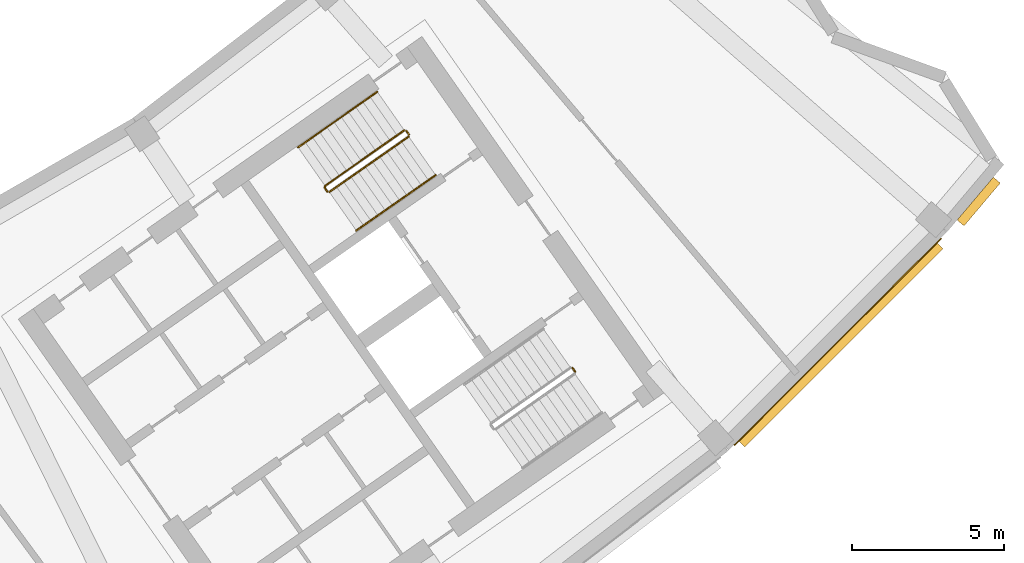
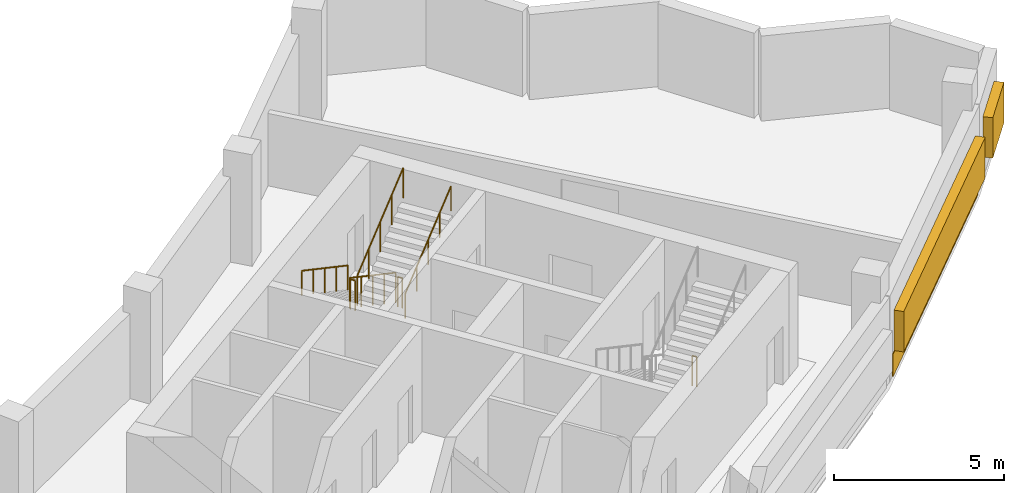
# One storey, part 11 of 11: 6 railings, 2 shading devices, 1 covering.
"""IFC4 building model written with IfcOpenShell, lengths in metres."""

from ifc_helpers import new_model, si_unit, direction, frame, origin, origin_2d, place, context, subcontext, project, spatial, rectangle, circle, extrude, material, layer, layer_set, type_object, element, save


model = new_model("IFC4")

# Units and contexts
model_context = context("Model", 3, precision=1e-05, world=origin(), true_north=direction((0.0, 1.0)))
body_context = subcontext(model_context, "Body", "Model", "MODEL_VIEW")
ifc_project = project(units=[si_unit("LENGTHUNIT", "METRE"), si_unit("AREAUNIT", "SQUARE_METRE"), si_unit("VOLUMEUNIT", "CUBIC_METRE"), si_unit("PLANEANGLEUNIT", "RADIAN"), si_unit("MASSUNIT", "GRAM", prefix="KILO")], contexts=[model_context])

# Site, building, storey
site_placement = place(None, origin())
site = spatial("IfcSite", under=ifc_project, at=site_placement, CompositionType="ELEMENT")
building_placement = place(site_placement, origin())
building = spatial("IfcBuilding", under=site, at=building_placement, Name="Qamariyya Broadcast Tower", CompositionType="ELEMENT")
storey_placement = place(building_placement, frame((0.0, 0.0, 298.699951171875)))
storey = spatial("IfcBuildingStorey", under=building, at=storey_placement, Name="L72", CompositionType="ELEMENT", Elevation=298.699951171875)

# Railings
ifc_material_1 = material(Name="Painted steel", Category="steel")
railing_type_1 = type_object("IfcRailingType", Name="Stair guard", PredefinedType="GUARDRAIL", material=ifc_material_1)
railing_1_placement = place(storey_placement, frame((41.003173828125, -48.320068359375, 0.166748046875)))
element("IfcRailing", 1, at=railing_1_placement, inside=storey, type_object=railing_type_1, Name="L72 ST-E2 stair guard 1", PredefinedType="GUARDRAIL", context=body_context, shape_type="SweptSolid", body=[
    extrude(circle(Radius=0.02392578125, at=origin_2d()), frame((0.0, 0.0, 1.076171875), z_axis=(-0.710204256923, -0.497335411159, 0.498264389913), x_axis=(0.573611290809, -0.819127637829, 0.0)), (0.0, 0.0, 1.0), 3.67919921875),
    extrude(circle(Radius=0.02392578125, at=origin_2d()), frame((-2.613037109375, -1.829833984375, 2.9091796875), z_axis=(-0.172799478008, -0.984957024646, 0.0), x_axis=(0.984957024646, -0.172799478008, 0.0)), (0.0, 0.0, 1.0), 0.070556640625),
    extrude(circle(Radius=0.02392578125, at=origin_2d()), frame((-2.625244140625, -1.8994140625, 2.9091796875), z_axis=(0.573353020881, -0.819308436089, 0.0), x_axis=(0.819308436089, 0.573353020881, 0.0)), (0.0, 0.0, 1.0), 0.14990234375),
    extrude(circle(Radius=0.02099609375, at=origin_2d()), origin(), (0.0, 0.0, 1.0), 1.052001953125),
    extrude(circle(Radius=0.02099609375, at=origin_2d()), frame((-0.6533203125, -0.45751953125, 0.458251953125)), (0.0, 0.0, 1.0), 1.052001953125),
    extrude(circle(Radius=0.02099609375, at=origin_2d()), frame((-1.306640625, -0.9150390625, 0.91650390625)), (0.0, 0.0, 1.0), 1.052001953125),
    extrude(circle(Radius=0.02099609375, at=origin_2d()), frame((-1.959716796875, -1.372314453125, 1.375)), (0.0, 0.0, 1.0), 1.052001953125),
    extrude(circle(Radius=0.02099609375, at=origin_2d()), frame((-2.613037109375, -1.829833984375, 1.833251953125)), (0.0, 0.0, 1.0), 1.052001953125),
    extrude(circle(Radius=0.02099609375, at=origin_2d()), frame((-2.625244140625, -1.8994140625, 1.833251953125)), (0.0, 0.0, 1.0), 1.052001953125),
    extrude(circle(Radius=0.02099609375, at=origin_2d()), frame((-2.539306640625, -2.022216796875, 1.833251953125)), (0.0, 0.0, 1.0), 1.052001953125),
])
railing_2_placement = place(storey_placement, frame((38.53369140625, -50.3544921875, 2.166748046875)))
element("IfcRailing", 2, at=railing_2_placement, inside=storey, type_object=railing_type_1, Name="L72 ST-E2 stair guard 2", PredefinedType="GUARDRAIL", context=body_context, shape_type="SweptSolid", body=[
    extrude(circle(Radius=0.02392578125, at=origin_2d()), frame((0.0, 0.0, 1.076171875), z_axis=(0.710227693972, 0.497285465629, 0.498280832854), x_axis=(-0.573559936391, 0.819163597438, 0.0)), (0.0, 0.0, 1.0), 3.67919921875),
    extrude(circle(Radius=0.02099609375, at=origin_2d()), origin(), (0.0, 0.0, 1.0), 1.052001953125),
    extrude(circle(Radius=0.02099609375, at=origin_2d()), frame((0.6533203125, 0.45751953125, 0.458251953125)), (0.0, 0.0, 1.0), 1.052001953125),
    extrude(circle(Radius=0.02099609375, at=origin_2d()), frame((1.306640625, 0.914794921875, 0.91650390625)), (0.0, 0.0, 1.0), 1.052001953125),
    extrude(circle(Radius=0.02099609375, at=origin_2d()), frame((1.959716796875, 1.3720703125, 1.375)), (0.0, 0.0, 1.0), 1.052001953125),
    extrude(circle(Radius=0.02099609375, at=origin_2d()), frame((2.613037109375, 1.82958984375, 1.833251953125)), (0.0, 0.0, 1.0), 1.052001953125),
])
railing_3_placement = place(storey_placement, frame((41.072998046875, -48.332275390625, 0.0)))
element("IfcRailing", 3, at=railing_3_placement, inside=storey, type_object=railing_type_1, Name="L72 ST-E2 stair guard 3", PredefinedType="GUARDRAIL", context=body_context, shape_type="SweptSolid", body=[
    extrude(circle(Radius=0.02392578125, at=origin_2d()), frame((0.0, 0.0, 1.076171875), z_axis=(0.572588637393, -0.819842821722, 0.0), x_axis=(0.819842821722, 0.572588637393, 0.0)), (0.0, 0.0, 1.0), 0.150146484375),
    extrude(circle(Radius=0.02099609375, at=origin_2d()), origin(), (0.0, 0.0, 1.0), 1.052001953125),
    extrude(circle(Radius=0.02099609375, at=origin_2d()), frame((0.0859375, -0.123046875, 0.0)), (0.0, 0.0, 1.0), 1.052001953125),
])
railing_4_placement = place(storey_placement, frame((46.550537109375, -56.1552734375, 0.0)))
element("IfcRailing", 4, at=railing_4_placement, inside=storey, type_object=railing_type_1, Name="L72 ST-E1 stair guard 3", PredefinedType="GUARDRAIL", context=body_context, shape_type="SweptSolid", body=[
    extrude(circle(Radius=0.02392578125, at=origin_2d()), frame((0.0, 0.0, 1.076171875), z_axis=(0.574444878118, -0.818543268254, 0.0), x_axis=(0.818543268254, 0.574444878118, 0.0)), (0.0, 0.0, 1.0), 0.150146484375),
    extrude(circle(Radius=0.02099609375, at=origin_2d()), origin(), (0.0, 0.0, 1.0), 1.052001953125),
    extrude(circle(Radius=0.02099609375, at=origin_2d()), frame((0.086181640625, -0.122802734375, 0.0)), (0.0, 0.0, 1.0), 1.052001953125),
])
ifc_material_2 = material(Name="Stainless steel", Category="steel")
railing_type_2 = type_object("IfcRailingType", Name="Stair handrail", PredefinedType="HANDRAIL", material=ifc_material_2)
railing_5_placement = place(storey_placement, frame((40.1142578125, -47.05029296875, 0.166748046875)))
element("IfcRailing", 5, at=railing_5_placement, inside=storey, type_object=railing_type_2, Name="L72 ST-E2 stair handrail 1", PredefinedType="HANDRAIL", context=body_context, shape_type="SweptSolid", body=[
    extrude(circle(Radius=0.02392578125, at=origin_2d()), frame((0.0, 0.0, 0.8759765625), z_axis=(-0.710204256923, -0.497335411159, 0.498264389913), x_axis=(0.573611290809, -0.819127637829, 0.0)), (0.0, 0.0, 1.0), 3.67919921875),
    extrude(circle(Radius=0.02099609375, at=origin_2d()), origin(), (0.0, 0.0, 1.0), 0.851806640625),
    extrude(circle(Radius=0.02099609375, at=origin_2d()), frame((-0.6533203125, -0.45751953125, 0.458251953125)), (0.0, 0.0, 1.0), 0.851806640625),
    extrude(circle(Radius=0.02099609375, at=origin_2d()), frame((-1.306640625, -0.9150390625, 0.91650390625)), (0.0, 0.0, 1.0), 0.851806640625),
    extrude(circle(Radius=0.02099609375, at=origin_2d()), frame((-1.959716796875, -1.372314453125, 1.375)), (0.0, 0.0, 1.0), 0.851806640625),
    extrude(circle(Radius=0.02099609375, at=origin_2d()), frame((-2.613037109375, -1.829833984375, 1.833251953125)), (0.0, 0.0, 1.0), 0.851806640625),
])
railing_6_placement = place(storey_placement, frame((39.422607421875, -51.624267578125, 2.166748046875)))
element("IfcRailing", 6, at=railing_6_placement, inside=storey, type_object=railing_type_2, Name="L72 ST-E2 stair handrail 2", PredefinedType="HANDRAIL", context=body_context, shape_type="SweptSolid", body=[
    extrude(circle(Radius=0.02392578125, at=origin_2d()), frame((0.0, 0.0, 0.8759765625), z_axis=(0.710204256923, 0.497335411159, 0.498264389913), x_axis=(-0.573611290809, 0.819127637829, 0.0)), (0.0, 0.0, 1.0), 3.67919921875),
    extrude(circle(Radius=0.02099609375, at=origin_2d()), origin(), (0.0, 0.0, 1.0), 0.851806640625),
    extrude(circle(Radius=0.02099609375, at=origin_2d()), frame((0.6533203125, 0.45751953125, 0.458251953125)), (0.0, 0.0, 1.0), 0.851806640625),
    extrude(circle(Radius=0.02099609375, at=origin_2d()), frame((1.306640625, 0.9150390625, 0.91650390625)), (0.0, 0.0, 1.0), 0.851806640625),
    extrude(circle(Radius=0.02099609375, at=origin_2d()), frame((1.959716796875, 1.372314453125, 1.375)), (0.0, 0.0, 1.0), 0.851806640625),
    extrude(circle(Radius=0.02099609375, at=origin_2d()), frame((2.613037109375, 1.829833984375, 1.833251953125)), (0.0, 0.0, 1.0), 0.851806640625),
])

# Covering
ifc_material_3 = material(Name="Glazed terracotta", Category="masonry")
ifc_layer = layer(ifc_material_3, 0.030029296875)
ifc_layer_set = layer_set([ifc_layer], Name="Terracotta cladding panel 30, crown band")
covering_type = type_object("IfcCoveringType", Name="Terracotta cladding panel 30, crown band", PredefinedType="CLADDING", material=ifc_layer_set)
covering_placement = place(storey_placement, frame((55.293701171875, -55.293701171875, 0.0), z_axis=(0.0, 0.0, 1.0), x_axis=(0.707106781187, 0.707106781187, 0.0)))
element("IfcCovering", 7, at=covering_placement, inside=storey, type_object=covering_type, Name="e-cl-L72-13", PredefinedType="CLADDING", context=body_context, shape_type="SweptSolid", body=[
    extrude(rectangle(XDim=9.648681640625, YDim=0.030029296875, at=origin_2d()), origin(), (0.0, 0.0, 1.0), 0.800048828125),
])

# Shading devices
shading_device_type = type_object("IfcShadingDeviceType", Name="Terracotta louvre bank", PredefinedType="USERDEFINED", material=ifc_material_3)
shading_device_1_placement = place(storey_placement, frame((55.38916015625, -55.38916015625, 0.80029296875), z_axis=(0.0, 0.0, 1.0), x_axis=(0.707106781187, 0.707106781187, 0.0)))
element("IfcShadingDevice", 8, at=shading_device_1_placement, inside=storey, type_object=shading_device_type, Name="e-lv-L72-13", ObjectType="LOUVRE", PredefinedType="USERDEFINED", context=body_context, shape_type="SweptSolid", body=[
    extrude(rectangle(XDim=9.248779296875, YDim=0.300048828125, at=origin_2d()), origin(), (0.0, 0.0, 1.0), 1.449951171875),
])
shading_device_2_placement = place(storey_placement, frame((59.94140625, -50.66796875, 0.80029296875), z_axis=(0.0, 0.0, 1.0), x_axis=(0.645559567332, 0.763709922042, 0.0)))
element("IfcShadingDevice", 9, at=shading_device_2_placement, inside=storey, type_object=shading_device_type, Name="e-lv-L72-14", ObjectType="LOUVRE", PredefinedType="USERDEFINED", context=body_context, shape_type="SweptSolid", body=[
    extrude(rectangle(XDim=1.8505859375, YDim=0.300048828125, at=origin_2d()), origin(), (0.0, 0.0, 1.0), 1.449951171875),
])

save(model, "model.ifc")
